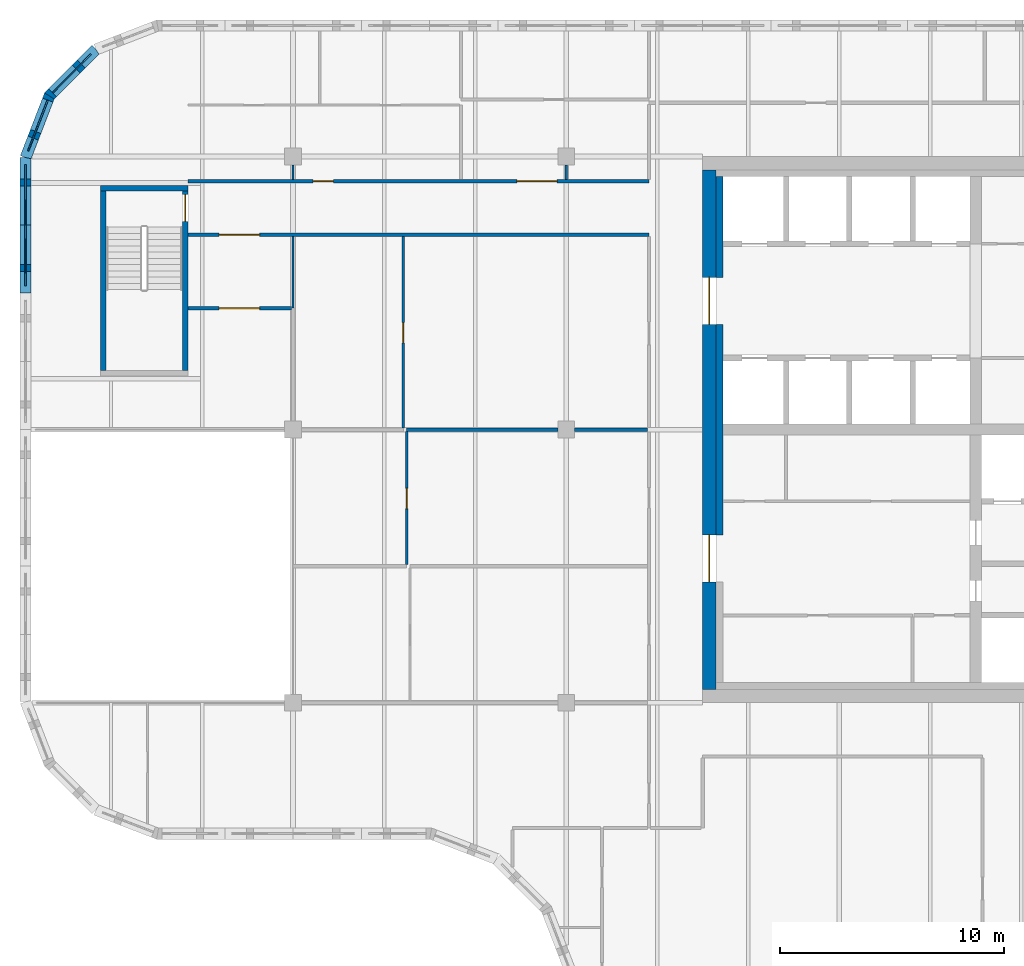
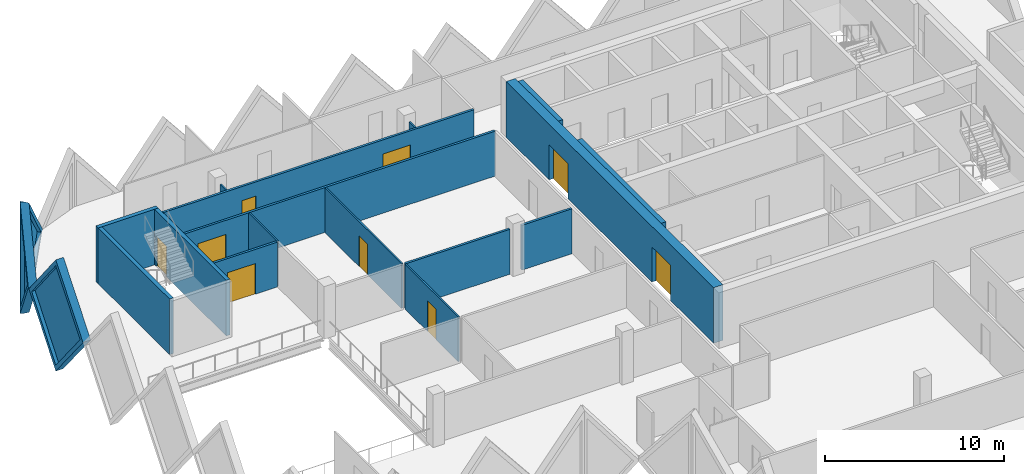
# One storey, part 7 of 12: 19 walls, 9 doors, 3 plates, 12 openings.
"""IFC4 building model written with IfcOpenShell, lengths in metres."""

from ifc_helpers import new_model, si_unit, direction, frame, frame_2d, origin, place, context, subcontext, project, spatial, polyline, rectangle, outline, extrude, faceted_brep, source, transform, mapped, material, layer, layer_set, type_object, element, fill, save


model = new_model("IFC4")

# Units and contexts
model_context = context("Model", 3, precision=1e-05, world=origin(), true_north=direction((0.0, 1.0)))
body_context = subcontext(model_context, "Body", "Model", "MODEL_VIEW")
ifc_project = project(units=[si_unit("LENGTHUNIT", "METRE"), si_unit("AREAUNIT", "SQUARE_METRE"), si_unit("VOLUMEUNIT", "CUBIC_METRE"), si_unit("PLANEANGLEUNIT", "RADIAN"), si_unit("MASSUNIT", "GRAM", prefix="KILO")], contexts=[model_context])

# Site, building, storey
site_placement = place(None, origin())
site = spatial("IfcSite", under=ifc_project, at=site_placement, CompositionType="ELEMENT")
building_placement = place(site_placement, origin())
building = spatial("IfcBuilding", under=site, at=building_placement, Name="Tessera Gate Towers", CompositionType="ELEMENT")
storey_placement = place(building_placement, frame((0.0, 0.0, 185.800048828125)))
storey = spatial("IfcBuildingStorey", under=building, at=storey_placement, Name="L46", CompositionType="ELEMENT", Elevation=185.800048828125)

# Walls
ifc_material_1 = material(Name="Concrete C40/50", Category="concrete")
ifc_layer_1 = layer(ifc_material_1, 0.25)
ifc_layer_set_1 = layer_set([ifc_layer_1], Name="CORE ENCLOSURE WALL 250")
wall_type_1 = type_object("IfcWallType", Name="CORE ENCLOSURE WALL 250", PredefinedType="SOLIDWALL", material=ifc_layer_set_1)
wall_1_placement = place(storey_placement, frame((3.72509765625, 39.25, 0.0), z_axis=(0.0, 0.0, 1.0), x_axis=(0.0, 1.0, 0.0)))
element("IfcWall", 1, at=wall_1_placement, inside=storey, type_object=wall_type_1, Name="L46 ST3 enclosure wall", PredefinedType="SOLIDWALL", context=body_context, shape_type="SweptSolid", body=[
    extrude(rectangle(XDim=8.0, YDim=0.25, at=frame_2d((4.0, 0.0))), origin(), (0.0, 0.0, 1.0), 3.800048828125),
])
wall_2_placement = place(storey_placement, frame((3.60009765625, 47.375, 0.0), z_axis=(0.0, 0.0, 1.0), x_axis=(1.0, 0.0, 0.0)))
element("IfcWall", 2, at=wall_2_placement, inside=storey, type_object=wall_type_1, Name="L46 ST3 enclosure wall", PredefinedType="SOLIDWALL", context=body_context, shape_type="SweptSolid", body=[
    extrude(rectangle(XDim=3.89990234375, YDim=0.25, at=frame_2d((1.949951171875, 0.0))), origin(), (0.0, 0.0, 1.0), 3.800048828125),
])

# Wall, opening, door
wall_3_placement = place(storey_placement, frame((7.375, 47.25, 0.0), z_axis=(0.0, 0.0, 1.0), x_axis=(0.0, -1.0, 0.0)))
wall_3 = element("IfcWall", 3, at=wall_3_placement, inside=storey, type_object=wall_type_1, Name="L46 ST3 enclosure wall", PredefinedType="SOLIDWALL", context=body_context, shape_type="SweptSolid", body=[
    extrude(rectangle(XDim=8.0, YDim=0.25, at=frame_2d((4.0, 0.0))), origin(), (0.0, 0.0, 1.0), 3.800048828125),
])
shared_shape_1 = source(origin(), body_context, "Body", "SweptSolid", [
    extrude(rectangle(XDim=1.199951171875, YDim=2.10009765625, at=frame_2d((0.60009765625, 1.050048828125))), frame((0.0, 0.135009765625, 0.0), z_axis=(0.0, -1.0, 0.0), x_axis=(1.0, 0.0, 0.0)), (0.0, 0.0, 1.0), 0.27001953125),
])
opening_1_placement = place(wall_3_placement, frame((0.14990234375, 0.0, 0.0)))
opening_1 = element("IfcOpeningElement", 4, at=opening_1_placement, cuts=wall_3, Name="Opening SD-ST3-1", PredefinedType="OPENING", context=body_context, shape_type="MappedRepresentation", body=[
    mapped(shared_shape_1, transform((0.0, 0.0, 0.0), scale=1.0)),
])
ifc_material_2 = material(Name="Hollow steel fire door", Category="steel")
door_type_1 = type_object("IfcDoorType", Name="CORE DOOR SD 1200x2100", OperationType="NOTDEFINED", PredefinedType="DOOR", material=ifc_material_2)
shared_shape_2 = source(origin(), body_context, "Body", "SweptSolid", [
    extrude(rectangle(XDim=1.199951171875, YDim=2.10009765625, at=frame_2d((0.60009765625, 1.050048828125))), frame((0.0, 0.02490234375, 0.0), z_axis=(0.0, -1.0, 0.0), x_axis=(1.0, 0.0, 0.0)), (0.0, 0.0, 1.0), 0.050048828125),
])
door_1_placement = place(opening_1_placement, origin())
door_1 = element("IfcDoor", 5, at=door_1_placement, inside=storey, type_object=door_type_1, Name="Stair door", OperationType="SINGLE_SWING_LEFT", OverallHeight=2.10009765625, OverallWidth=1.199951171875, PredefinedType="DOOR", context=body_context, shape_type="MappedRepresentation", body=[
    mapped(shared_shape_2, transform((0.0, 0.0, 0.0), scale=1.0)),
])
fill(opening_1, door_1)

# Wall, openings, doors
ifc_material_3 = material(Name="Concrete C50/60", Category="concrete")
ifc_layer_2 = layer(ifc_material_3, 0.60009765625)
ifc_layer_set_2 = layer_set([ifc_layer_2], Name="CORE SHEAR WALL 600 C50/60")
wall_type_2 = type_object("IfcWallType", Name="CORE SHEAR WALL 600 C50/60", PredefinedType="SHEAR", material=ifc_layer_set_2)
wall_4_placement = place(storey_placement, frame((30.800048828125, 25.0, 0.0), z_axis=(0.0, 0.0, 1.0), x_axis=(0.0, 1.0, 0.0)))
wall_4 = element("IfcWall", 6, at=wall_4_placement, inside=storey, type_object=wall_type_2, Name="Core wall W L46", PredefinedType="SHEAR", context=body_context, shape_type="SweptSolid", body=[
    extrude(rectangle(XDim=23.199951171875, YDim=0.60009765625, at=frame_2d((11.60009765625, 0.0))), origin(), (0.0, 0.0, 1.0), 3.800048828125),
])
shared_shape_3 = source(origin(), body_context, "Body", "SweptSolid", [
    extrude(rectangle(XDim=2.10009765625, YDim=2.39990234375, at=frame_2d((1.050048828125, 1.199951171875))), frame((0.0, 0.31005859375, 0.0), z_axis=(0.0, -1.0, 0.0), x_axis=(1.0, 0.0, 0.0)), (0.0, 0.0, 1.0), 0.6201171875),
])
opening_2_placement = place(wall_4_placement, frame((4.800048828125, 0.0, 0.0)))
opening_2 = element("IfcOpeningElement", 7, at=opening_2_placement, cuts=wall_4, Name="Opening DD-T1-28-02", PredefinedType="OPENING", context=body_context, shape_type="MappedRepresentation", body=[
    mapped(shared_shape_3, transform((0.0, 0.0, 0.0), scale=1.0)),
])
opening_3_placement = place(wall_4_placement, frame((16.300048828125, 0.0, 0.0)))
opening_3 = element("IfcOpeningElement", 8, at=opening_3_placement, cuts=wall_4, Name="Opening DD-T1-28-03", PredefinedType="OPENING", context=body_context, shape_type="MappedRepresentation", body=[
    mapped(shared_shape_3, transform((0.0, 0.0, 0.0), scale=1.0)),
])
ifc_material_4 = material(Name="Hollow steel fire door", Category="steel")
door_type_2 = type_object("IfcDoorType", Name="CORE DOOR DD 2100x2400", OperationType="NOTDEFINED", PredefinedType="DOOR", material=ifc_material_4)
shared_shape_4 = source(origin(), body_context, "Body", "SweptSolid", [
    extrude(rectangle(XDim=2.10009765625, YDim=2.39990234375, at=frame_2d((1.050048828125, 1.199951171875))), frame((0.0, 0.02490234375, 0.0), z_axis=(0.0, -1.0, 0.0), x_axis=(1.0, 0.0, 0.0)), (0.0, 0.0, 1.0), 0.050048828125),
])
door_2_placement = place(opening_2_placement, origin())
door_2 = element("IfcDoor", 9, at=door_2_placement, inside=storey, type_object=door_type_2, Name="Core entrance door", OperationType="DOUBLE_DOOR_SINGLE_SWING", OverallHeight=2.39990234375, OverallWidth=2.10009765625, PredefinedType="DOOR", context=body_context, shape_type="MappedRepresentation", body=[
    mapped(shared_shape_4, transform((0.0, 0.0, 0.0), scale=1.0)),
])
fill(opening_2, door_2)
door_3_placement = place(opening_3_placement, origin())
door_3 = element("IfcDoor", 10, at=door_3_placement, inside=storey, type_object=door_type_2, Name="Core entrance door", OperationType="DOUBLE_DOOR_SINGLE_SWING", OverallHeight=2.39990234375, OverallWidth=2.10009765625, PredefinedType="DOOR", context=body_context, shape_type="MappedRepresentation", body=[
    mapped(shared_shape_4, transform((0.0, 0.0, 0.0), scale=1.0)),
])
fill(opening_3, door_3)

# Walls
ifc_material_5 = material(Name="Concrete C50/60", Category="concrete")
ifc_layer_3 = layer(ifc_material_5, 0.300048828125)
ifc_layer_set_3 = layer_set([ifc_layer_3], Name="CORE WALL THICKENING 300")
wall_type_3 = type_object("IfcWallType", Name="CORE WALL THICKENING 300", PredefinedType="SOLIDWALL", material=ifc_layer_set_3)
wall_5_placement = place(storey_placement, frame((31.25, 31.89990234375, 0.0), z_axis=(0.0, 0.0, 1.0), x_axis=(0.0, 1.0, 0.0)))
element("IfcWall", 11, at=wall_5_placement, inside=storey, type_object=wall_type_3, Name="Core wall thickening W L46", PredefinedType="SOLIDWALL", context=body_context, shape_type="SweptSolid", body=[
    extrude(rectangle(XDim=9.400146484375, YDim=0.300048828125, at=frame_2d((4.7001953125, 0.0))), origin(), (0.0, 0.0, 1.0), 3.800048828125),
])
wall_6_placement = place(storey_placement, frame((31.25, 43.39990234375, 0.0), z_axis=(0.0, 0.0, 1.0), x_axis=(0.0, 1.0, 0.0)))
element("IfcWall", 12, at=wall_6_placement, inside=storey, type_object=wall_type_3, Name="Core wall thickening W L46", PredefinedType="SOLIDWALL", context=body_context, shape_type="SweptSolid", body=[
    extrude(rectangle(XDim=4.5, YDim=0.300048828125, at=frame_2d((2.25, 0.0))), origin(), (0.0, 0.0, 1.0), 3.800048828125),
])

# Wall, opening, door
ifc_material_6 = material(Name="Gypsum board on steel studs, mineral wool", Category="steel")
ifc_layer_4 = layer(ifc_material_6, 0.14990234375)
ifc_layer_set_4 = layer_set([ifc_layer_4], Name="CORRIDOR WALL 150")
wall_type_4 = type_object("IfcWallType", Name="CORRIDOR WALL 150", PredefinedType="PARTITIONING", material=ifc_layer_set_4)
wall_7_placement = place(storey_placement, frame((28.10009765625, 45.300048828125, 0.0), z_axis=(0.0, 0.0, 1.0), x_axis=(-1.0, 0.0, 0.0)))
wall_7 = element("IfcWall", 13, at=wall_7_placement, inside=storey, type_object=wall_type_4, Name="T1-L46-PW-041", PredefinedType="PARTITIONING", context=body_context, shape_type="SweptSolid", body=[
    extrude(rectangle(XDim=20.60009765625, YDim=0.14990234375, at=frame_2d((10.300048828125, 0.0))), origin(), (0.0, 0.0, 1.0), 3.06689453125),
])
shared_shape_5 = source(origin(), body_context, "Body", "SweptSolid", [
    extrude(rectangle(XDim=1.800048828125, YDim=2.10009765625, at=frame_2d((0.89990234375, 1.050048828125))), frame((0.0, 0.0849609375, 0.0), z_axis=(0.0, -1.0, 0.0), x_axis=(1.0, 0.0, 0.0)), (0.0, 0.0, 1.0), 0.169921875),
])
opening_4_placement = place(wall_7_placement, frame((17.39990234375, 0.0, 0.0)))
opening_4 = element("IfcOpeningElement", 14, at=opening_4_placement, cuts=wall_7, Name="Opening D2180FD60-A17-01", PredefinedType="OPENING", context=body_context, shape_type="MappedRepresentation", body=[
    mapped(shared_shape_5, transform((0.0, 0.0, 0.0), scale=1.0)),
])
ifc_material_7 = material(Name="Timber door leaf in steel frame", Category="steel")
door_type_3 = type_object("IfcDoorType", Name="TENANCY ENTRANCE DOUBLE DOOR 1800 FD60", OperationType="NOTDEFINED", PredefinedType="DOOR", material=ifc_material_7)
shared_shape_6 = source(origin(), body_context, "Body", "SweptSolid", [
    extrude(rectangle(XDim=1.800048828125, YDim=2.10009765625, at=frame_2d((0.89990234375, 1.050048828125))), frame((0.0, 0.02490234375, 0.0), z_axis=(0.0, -1.0, 0.0), x_axis=(1.0, 0.0, 0.0)), (0.0, 0.0, 1.0), 0.050048828125),
])
door_4_placement = place(opening_4_placement, origin())
door_4 = element("IfcDoor", 15, at=door_4_placement, inside=storey, type_object=door_type_3, Name="T1-L46-PD-007", OperationType="DOUBLE_DOOR_SINGLE_SWING", OverallHeight=2.10009765625, OverallWidth=1.800048828125, PredefinedType="DOOR", context=body_context, shape_type="MappedRepresentation", body=[
    mapped(shared_shape_6, transform((0.0, 0.0, 0.0), scale=1.0)),
])
fill(opening_4, door_4)

# Wall, openings, doors
wall_8_placement = place(storey_placement, frame((7.5, 47.699951171875, 0.0), z_axis=(0.0, 0.0, 1.0), x_axis=(1.0, 0.0, 0.0)))
wall_8 = element("IfcWall", 16, at=wall_8_placement, inside=storey, type_object=wall_type_4, Name="T1-L46-PW-042", PredefinedType="PARTITIONING", context=body_context, shape_type="SweptSolid", body=[
    extrude(rectangle(XDim=20.60009765625, YDim=0.14990234375, at=frame_2d((10.300048828125, 0.0))), origin(), (0.0, 0.0, 1.0), 3.06689453125),
])
opening_5_placement = place(wall_8_placement, frame((14.700927734375, 0.0, 0.0)))
opening_5 = element("IfcOpeningElement", 17, at=opening_5_placement, cuts=wall_8, Name="Opening D2180FD60-A17-02", PredefinedType="OPENING", context=body_context, shape_type="MappedRepresentation", body=[
    mapped(shared_shape_5, transform((0.0, 0.0, 0.0), scale=1.0)),
])
shared_shape_7 = source(origin(), body_context, "Body", "SweptSolid", [
    extrude(rectangle(XDim=0.89990234375, YDim=2.10009765625, at=frame_2d((0.449951171875, 1.050048828125))), frame((0.0, 0.0849609375, 0.0), z_axis=(0.0, -1.0, 0.0), x_axis=(1.0, 0.0, 0.0)), (0.0, 0.0, 1.0), 0.169921875),
])
opening_6_placement = place(wall_8_placement, frame((5.60009765625, 0.0, 0.0)))
opening_6 = element("IfcOpeningElement", 18, at=opening_6_placement, cuts=wall_8, Name="Opening D890FD60-A17-06", PredefinedType="OPENING", context=body_context, shape_type="MappedRepresentation", body=[
    mapped(shared_shape_7, transform((0.0, 0.0, 0.0), scale=1.0)),
])
ifc_material_8 = material(Name="Timber door leaf in steel frame", Category="steel")
door_type_4 = type_object("IfcDoorType", Name="CORRIDOR DOOR 900 FD60", OperationType="NOTDEFINED", PredefinedType="DOOR", material=ifc_material_8)
shared_shape_8 = source(origin(), body_context, "Body", "SweptSolid", [
    extrude(rectangle(XDim=0.89990234375, YDim=2.10009765625, at=frame_2d((0.449951171875, 1.050048828125))), frame((0.0, 0.02490234375, 0.0), z_axis=(0.0, -1.0, 0.0), x_axis=(1.0, 0.0, 0.0)), (0.0, 0.0, 1.0), 0.050048828125),
])
door_5_placement = place(opening_6_placement, origin())
door_5 = element("IfcDoor", 19, at=door_5_placement, inside=storey, type_object=door_type_4, Name="T1-L46-PD-024", OperationType="SINGLE_SWING_LEFT", OverallHeight=2.10009765625, OverallWidth=0.89990234375, PredefinedType="DOOR", context=body_context, shape_type="MappedRepresentation", body=[
    mapped(shared_shape_8, transform((0.0, 0.0, 0.0), scale=1.0)),
])
fill(opening_6, door_5)
door_6_placement = place(opening_5_placement, origin())
door_6 = element("IfcDoor", 20, at=door_6_placement, inside=storey, type_object=door_type_3, Name="T1-L46-PD-018", OperationType="DOUBLE_DOOR_SINGLE_SWING", OverallHeight=2.10009765625, OverallWidth=1.800048828125, PredefinedType="DOOR", context=body_context, shape_type="MappedRepresentation", body=[
    mapped(shared_shape_6, transform((0.0, 0.0, 0.0), scale=1.0)),
])
fill(opening_5, door_6)

# Wall, opening, door
ifc_material_9 = material(Name="Glass", Category="glass")
ifc_layer_5 = layer(ifc_material_9, 0.10009765625)
ifc_layer_set_5 = layer_set([ifc_layer_5], Name="GLAZED PARTITION 100")
wall_type_5 = type_object("IfcWallType", Name="GLAZED PARTITION 100", PredefinedType="PARTITIONING", material=ifc_layer_set_5)
wall_9_placement = place(storey_placement, frame((17.125, 36.676025390625, 0.0), z_axis=(0.0, 0.0, 1.0), x_axis=(0.0, 1.0, 0.0)))
wall_9 = element("IfcWall", 21, at=wall_9_placement, inside=storey, type_object=wall_type_5, Name="T1-L46-PW-037", PredefinedType="PARTITIONING", context=body_context, shape_type="SweptSolid", body=[
    extrude(rectangle(XDim=8.548095703125, YDim=0.10009765625, at=frame_2d((4.27392578125, 0.0))), origin(), (0.0, 0.0, 1.0), 3.06689453125),
])
shared_shape_9 = source(origin(), body_context, "Body", "SweptSolid", [
    extrude(rectangle(XDim=0.89990234375, YDim=2.10009765625, at=frame_2d((0.449951171875, 1.050048828125))), frame((0.0, 0.06005859375, 0.0), z_axis=(0.0, -1.0, 0.0), x_axis=(1.0, 0.0, 0.0)), (0.0, 0.0, 1.0), 0.1201171875),
])
opening_7_placement = place(wall_9_placement, frame((3.800048828125, 0.0, 0.0)))
opening_7 = element("IfcOpeningElement", 22, at=opening_7_placement, cuts=wall_9, Name="Opening D690-A17-05", PredefinedType="OPENING", context=body_context, shape_type="MappedRepresentation", body=[
    mapped(shared_shape_9, transform((0.0, 0.0, 0.0), scale=1.0)),
])
ifc_material_10 = material(Name="Glass in aluminium frame", Category="aluminium")
door_type_5 = type_object("IfcDoorType", Name="GLAZED DOOR 900 NOT RATED", OperationType="NOTDEFINED", PredefinedType="DOOR", material=ifc_material_10)
door_7_placement = place(opening_7_placement, origin())
door_7 = element("IfcDoor", 23, at=door_7_placement, inside=storey, type_object=door_type_5, Name="T1-L46-PD-020", OperationType="SINGLE_SWING_LEFT", OverallHeight=2.10009765625, OverallWidth=0.89990234375, PredefinedType="DOOR", context=body_context, shape_type="MappedRepresentation", body=[
    mapped(shared_shape_8, transform((0.0, 0.0, 0.0), scale=1.0)),
])
fill(opening_7, door_7)

# Wall
wall_10_placement = place(storey_placement, frame((12.199951171875, 42.02587890625, 0.0), z_axis=(0.0, 0.0, 1.0), x_axis=(0.0, 1.0, 0.0)))
element("IfcWall", 24, at=wall_10_placement, inside=storey, type_object=wall_type_5, Name="T1-L46-PW-040", PredefinedType="PARTITIONING", context=body_context, shape_type="SweptSolid", body=[
    extrude(rectangle(XDim=3.1982421875, YDim=0.10009765625, at=frame_2d((1.59912109375, 0.0))), origin(), (0.0, 0.0, 1.0), 3.06689453125),
])

# Wall, opening, door
ifc_material_11 = material(Name="Gypsum board on steel studs", Category="steel")
ifc_layer_6 = layer(ifc_material_11, 0.10009765625)
ifc_layer_set_6 = layer_set([ifc_layer_6], Name="PARTITION 100")
wall_type_6 = type_object("IfcWallType", Name="PARTITION 100", PredefinedType="PARTITIONING", material=ifc_layer_set_6)
wall_11_placement = place(storey_placement, frame((17.27490234375, 30.575927734375, 0.0), z_axis=(0.0, 0.0, 1.0), x_axis=(0.0, 1.0, 0.0)))
wall_11 = element("IfcWall", 25, at=wall_11_placement, inside=storey, type_object=wall_type_6, Name="T1-L46-PW-033", PredefinedType="PARTITIONING", context=body_context, shape_type="SweptSolid", body=[
    extrude(rectangle(XDim=5.947998046875, YDim=0.10009765625, at=frame_2d((2.97412109375, 0.0))), origin(), (0.0, 0.0, 1.0), 3.06689453125),
])
opening_8_placement = place(wall_11_placement, frame((2.5, 0.0, 0.0)))
opening_8 = element("IfcOpeningElement", 26, at=opening_8_placement, cuts=wall_11, Name="Opening D190-A17-05", PredefinedType="OPENING", context=body_context, shape_type="MappedRepresentation", body=[
    mapped(shared_shape_9, transform((0.0, 0.0, 0.0), scale=1.0)),
])
ifc_material_12 = material(Name="Timber door leaf in steel frame", Category="steel")
door_type_6 = type_object("IfcDoorType", Name="INTERNAL DOOR 900 NOT RATED", OperationType="NOTDEFINED", PredefinedType="DOOR", material=ifc_material_12)
door_8_placement = place(opening_8_placement, origin())
door_8 = element("IfcDoor", 27, at=door_8_placement, inside=storey, type_object=door_type_6, Name="T1-L46-PD-013", OperationType="SINGLE_SWING_LEFT", OverallHeight=2.10009765625, OverallWidth=0.89990234375, PredefinedType="DOOR", context=body_context, shape_type="MappedRepresentation", body=[
    mapped(shared_shape_8, transform((0.0, 0.0, 0.0), scale=1.0)),
])
fill(opening_8, door_8)

# Walls
for number, where, z_axis, x_axis, name in (
    (28, (12.199951171875, 48.425048828125, 0.0), (0.0, 0.0, 1.0), (0.0, -1.0, 0.0), "T1-L46-PW-045"),
    (29, (24.39990234375, 48.425048828125, 0.0), (0.0, 0.0, 1.0), (0.0, -1.0, 0.0), "T1-L46-PW-046"),
):
    element("IfcWall", number, at=place(storey_placement, frame(where, z_axis=z_axis, x_axis=x_axis)), inside=storey, type_object=wall_type_6, Name=name, PredefinedType="PARTITIONING", context=body_context, shape_type="SweptSolid", body=[
        extrude(rectangle(XDim=0.650146484375, YDim=0.10009765625, at=frame_2d((0.3251953125, 0.0))), origin(), (0.0, 0.0, 1.0), 3.06689453125),
    ])
ifc_material_13 = material(Name="Gypsum board on steel studs, mineral wool", Category="steel")
ifc_layer_7 = layer(ifc_material_13, 0.14990234375)
ifc_layer_set_7 = layer_set([ifc_layer_7], Name="TENANCY WALL 150")
wall_type_7 = type_object("IfcWallType", Name="TENANCY WALL 150", PredefinedType="PARTITIONING", material=ifc_layer_set_7)
wall_12_placement = place(storey_placement, frame((17.27490234375, 36.60009765625, 0.0), z_axis=(0.0, 0.0, 1.0), x_axis=(1.0, 0.0, 0.0)))
element("IfcWall", 30, at=wall_12_placement, inside=storey, type_object=wall_type_7, Name="T1-L46-PW-035", PredefinedType="PARTITIONING", context=body_context, shape_type="SweptSolid", body=[
    extrude(rectangle(XDim=6.7490234375, YDim=0.14990234375, at=frame_2d((3.37451171875, 0.0))), origin(), (0.0, 0.0, 1.0), 3.06689453125),
])
wall_13_placement = place(storey_placement, frame((24.77587890625, 36.60009765625, 0.0), z_axis=(0.0, 0.0, 1.0), x_axis=(1.0, 0.0, 0.0)))
element("IfcWall", 31, at=wall_13_placement, inside=storey, type_object=wall_type_7, Name="T1-L46-PW-036", PredefinedType="PARTITIONING", context=body_context, shape_type="SweptSolid", body=[
    extrude(rectangle(XDim=3.248046875, YDim=0.14990234375, at=frame_2d((1.6240234375, 0.0))), origin(), (0.0, 0.0, 1.0), 3.06689453125),
])

# Wall, opening, door
wall_14_placement = place(storey_placement, frame((12.1240234375, 42.02490234375, 0.0), z_axis=(0.0, 0.0, 1.0), x_axis=(-1.0, 0.0, 0.0)))
wall_14 = element("IfcWall", 32, at=wall_14_placement, inside=storey, type_object=wall_type_7, Name="T1-L46-PW-039", PredefinedType="PARTITIONING", context=body_context, shape_type="SweptSolid", body=[
    extrude(rectangle(XDim=4.6240234375, YDim=0.14990234375, at=frame_2d((2.31201171875, 0.0))), origin(), (0.0, 0.0, 1.0), 3.06689453125),
])
opening_9_placement = place(wall_14_placement, frame((1.424072265625, 0.0, 0.0)))
opening_9 = element("IfcOpeningElement", 33, at=opening_9_placement, cuts=wall_14, Name="Opening D7180-A17-01", PredefinedType="OPENING", context=body_context, shape_type="MappedRepresentation", body=[
    mapped(shared_shape_5, transform((0.0, 0.0, 0.0), scale=1.0)),
])
ifc_material_14 = material(Name="Timber door leaf in steel frame", Category="steel")
door_type_7 = type_object("IfcDoorType", Name="DOUBLE DOOR 1800 NOT RATED", OperationType="NOTDEFINED", PredefinedType="DOOR", material=ifc_material_14)
door_9_placement = place(opening_9_placement, origin())
door_9 = element("IfcDoor", 34, at=door_9_placement, inside=storey, type_object=door_type_7, Name="T1-L46-PD-006", OperationType="DOUBLE_DOOR_SINGLE_SWING", OverallHeight=2.10009765625, OverallWidth=1.800048828125, PredefinedType="DOOR", context=body_context, shape_type="MappedRepresentation", body=[
    mapped(shared_shape_6, transform((0.0, 0.0, 0.0), scale=1.0)),
])
fill(opening_9, door_9)

# Wall, opening, plate
ifc_material_15 = material(Name="Precast concrete C60/75 white", Category="concrete")
ifc_layer_8 = layer(ifc_material_15, 0.5)
ifc_layer_set_8 = layer_set([ifc_layer_8], Name="TS1 tessera")
wall_type_8 = type_object("IfcWallType", Name="TS1 tessera", PredefinedType="SOLIDWALL", material=ifc_layer_set_8)
shared_shape_10 = source(origin(), body_context, "Body", "Brep", [
    faceted_brep([(3.00341796875, -0.25, 0.0), (6.053466796875, -0.25, 3.800048828125), (3.00341796875, -0.25, 7.60009765625), (0.0, -0.25, 3.800048828125), (0.046630859375, 0.25, 3.85888671875), (3.00341796875, 0.25, 7.60009765625), (6.053466796875, 0.25, 3.800048828125), (3.00341796875, 0.25, 0.0), (0.046630859375, 0.25, 3.7412109375), (0.0, 0.0, 3.800048828125)], [[[0, 1, 2, 3]], [[4, 5, 6, 7, 8]], [[7, 6, 1, 0]], [[6, 5, 2, 1]], [[5, 4, 9, 3, 2]], [[8, 7, 0, 3, 9]], [[8, 9, 4]]]),
])
wall_15_placement = place(storey_placement, frame((0.25, 48.75341796875, -3.800048828125), z_axis=(0.0, 0.0, 1.0), x_axis=(0.0, -1.0, 0.0)))
wall_15 = element("IfcWall", 35, at=wall_15_placement, inside=storey, type_object=wall_type_8, Name="Precast tessera T1 TS1-0822", PredefinedType="SOLIDWALL", context=body_context, shape_type="MappedRepresentation", body=[
    mapped(shared_shape_10, transform((0.0, 0.0, 0.0), scale=1.0)),
])
shared_shape_11 = source(origin(), body_context, "Body", "SweptSolid", [
    extrude(outline(polyline([(3.0048828125, 0.4013671875), (5.73291015625, 3.800048828125), (3.0048828125, 7.19873046875), (0.318603515625, 3.800048828125), (3.0048828125, 0.4013671875)])), frame((0.0, 0.260009765625, 0.0), z_axis=(0.0, -1.0, 0.0), x_axis=(1.0, 0.0, 0.0)), (0.0, 0.0, 1.0), 0.52001953125),
])
opening_10_placement = place(wall_15_placement, origin())
opening_10 = element("IfcOpeningElement", 36, at=opening_10_placement, cuts=wall_15, Name="Opening T1-PL2-1676", PredefinedType="OPENING", context=body_context, shape_type="MappedRepresentation", body=[
    mapped(shared_shape_11, transform((0.0, 0.0, 0.0), scale=1.0)),
])
ifc_material_16 = material(Name="Low-e laminated glass", Category="glass")
ifc_layer_9 = layer(ifc_material_16, 0.06005859375)
ifc_layer_set_9 = layer_set([ifc_layer_9], Name="PL2 rhombic pane")
plate_type = type_object("IfcPlateType", Name="PL2 rhombic pane", PredefinedType="SHEET", material=ifc_layer_set_9)
shared_shape_12 = source(origin(), body_context, "Body", "SweptSolid", [
    extrude(outline(polyline([(3.0048828125, 0.4013671875), (5.73291015625, 3.800048828125), (3.0048828125, 7.19873046875), (0.318603515625, 3.800048828125), (3.0048828125, 0.4013671875)])), frame((0.0, 0.030029296875, 0.0), z_axis=(0.0, -1.0, 0.0), x_axis=(1.0, 0.0, 0.0)), (0.0, 0.0, 1.0), 0.06005859375),
])
plate_1_placement = place(opening_10_placement, origin())
plate_1 = element("IfcPlate", 37, at=plate_1_placement, inside=storey, type_object=plate_type, Name="Glass pane T1 PL2-1676", PredefinedType="SHEET", context=body_context, shape_type="MappedRepresentation", body=[
    mapped(shared_shape_12, transform((0.0, 0.0, 0.0), scale=1.0)),
])
fill(opening_10, plate_1)

ifc_material_17 = material(Name="Precast concrete C60/75 white", Category="concrete")
ifc_layer_10 = layer(ifc_material_17, 0.5)
ifc_layer_set_10 = layer_set([ifc_layer_10], Name="TS3 corner tessera")
wall_type_9 = type_object("IfcWallType", Name="TS3 corner tessera", PredefinedType="SOLIDWALL", material=ifc_layer_set_10)
shared_shape_13 = source(origin(), body_context, "Body", "Brep", [
    faceted_brep([(0.052978515625, -0.25, 0.0), (3.00341796875, -0.25, 3.800048828125), (0.052978515625, -0.25, 7.60009765625), (0.0, -0.25, 7.53173828125), (0.0, -0.25, 0.068359375), (0.10595703125, 0.25, 7.531982421875), (2.95703125, 0.25, 3.85986328125), (2.95703125, 0.25, 3.740234375), (0.10595703125, 0.25, 0.068115234375), (3.00341796875, 0.00048828125, 3.800048828125), (0.052978515625, 0.0, 0.0), (0.052978515625, 0.0, 7.60009765625)], [[[0, 1, 2, 3, 4]], [[5, 6, 7, 8]], [[8, 7, 9, 1, 0, 10]], [[6, 5, 11, 2, 1, 9]], [[3, 2, 11]], [[10, 0, 4]], [[8, 10, 4, 3, 11, 5]], [[9, 7, 6]]]),
])
wall_16_placement = place(storey_placement, frame((1.3310546875, 51.5556640625, -3.800048828125), z_axis=(0.0, 0.0, 1.0), x_axis=(-0.35992665181, -0.932980602862, 0.0)))
wall_16 = element("IfcWall", 38, at=wall_16_placement, inside=storey, type_object=wall_type_9, Name="Precast corner tessera T1 TS3-1070", PredefinedType="SOLIDWALL", context=body_context, shape_type="MappedRepresentation", body=[
    mapped(shared_shape_13, transform((0.0, 0.0, 0.0), scale=1.0)),
])
shared_shape_14 = source(origin(), body_context, "Body", "SweptSolid", [
    extrude(outline(polyline([(0.2529296875, 0.665283203125), (2.68701171875, 3.800048828125), (0.2529296875, 6.934814453125), (0.2529296875, 0.665283203125)])), frame((0.0, 0.260009765625, 0.0), z_axis=(0.0, -1.0, 0.0), x_axis=(1.0, 0.0, 0.0)), (0.0, 0.0, 1.0), 0.52001953125),
])
opening_11_placement = place(wall_16_placement, origin())
opening_11 = element("IfcOpeningElement", 39, at=opening_11_placement, cuts=wall_16, Name="Opening T1-PL2-1675", PredefinedType="OPENING", context=body_context, shape_type="MappedRepresentation", body=[
    mapped(shared_shape_14, transform((0.0, 0.0, 0.0), scale=1.0)),
])
shared_shape_15 = source(origin(), body_context, "Body", "SweptSolid", [
    extrude(outline(polyline([(0.2529296875, 0.665283203125), (2.68701171875, 3.800048828125), (0.2529296875, 6.934814453125), (0.2529296875, 0.665283203125)])), frame((0.0, 0.030029296875, 0.0), z_axis=(0.0, -1.0, 0.0), x_axis=(1.0, 0.0, 0.0)), (0.0, 0.0, 1.0), 0.06005859375),
])
plate_2_placement = place(opening_11_placement, origin())
plate_2 = element("IfcPlate", 40, at=plate_2_placement, inside=storey, type_object=plate_type, Name="Glass pane T1 PL2-1675", PredefinedType="SHEET", context=body_context, shape_type="MappedRepresentation", body=[
    mapped(shared_shape_15, transform((0.0, 0.0, 0.0), scale=1.0)),
])
fill(opening_11, plate_2)

shared_shape_16 = source(origin(), body_context, "Body", "Brep", [
    faceted_brep([(2.944091796875, -0.25, 0.0), (2.9970703125, -0.25, 0.068115234375), (2.9970703125, -0.25, 7.531982421875), (2.944091796875, -0.25, 7.60009765625), (0.0, -0.25, 3.800048828125), (0.052978515625, 0.25, 3.868408203125), (2.89111328125, 0.25, 7.531982421875), (2.89111328125, 0.25, 0.068115234375), (0.052978515625, 0.25, 3.731689453125), (2.944091796875, 0.000244140625, 0.0), (2.944091796875, 0.000244140625, 7.60009765625), (0.0, 0.0, 3.800048828125)], [[[0, 1, 2, 3, 4]], [[5, 6, 7, 8]], [[1, 0, 9]], [[10, 3, 2]], [[6, 5, 11, 4, 3, 10]], [[8, 7, 9, 0, 4, 11]], [[8, 11, 5]], [[1, 9, 7, 6, 10, 2]]]),
])
wall_17_placement = place(storey_placement, frame((3.393798828125, 53.588134765625, -3.800048828125), z_axis=(0.0, 0.0, 1.0), x_axis=(-0.707106781187, -0.707106781187, 0.0)))
wall_17 = element("IfcWall", 41, at=wall_17_placement, inside=storey, type_object=wall_type_9, Name="Precast corner tessera T1 TS3-1069", PredefinedType="SOLIDWALL", context=body_context, shape_type="MappedRepresentation", body=[
    mapped(shared_shape_16, transform((0.0, 0.0, 0.0), scale=1.0)),
])
shared_shape_17 = source(origin(), body_context, "Body", "SweptSolid", [
    extrude(outline(polyline([(2.744140625, 6.93359375), (0.316162109375, 3.800048828125), (2.744140625, 0.666259765625), (2.744140625, 6.93359375)])), frame((0.0, 0.260009765625, 0.0), z_axis=(0.0, -1.0, 0.0), x_axis=(1.0, 0.0, 0.0)), (0.0, 0.0, 1.0), 0.52001953125),
])
opening_12_placement = place(wall_17_placement, origin())
opening_12 = element("IfcOpeningElement", 42, at=opening_12_placement, cuts=wall_17, Name="Opening T1-PL2-1674", PredefinedType="OPENING", context=body_context, shape_type="MappedRepresentation", body=[
    mapped(shared_shape_17, transform((0.0, 0.0, 0.0), scale=1.0)),
])
shared_shape_18 = source(origin(), body_context, "Body", "SweptSolid", [
    extrude(outline(polyline([(2.744140625, 6.93359375), (0.316162109375, 3.800048828125), (2.744140625, 0.666259765625), (2.744140625, 6.93359375)])), frame((0.0, 0.030029296875, 0.0), z_axis=(0.0, -1.0, 0.0), x_axis=(1.0, 0.0, 0.0)), (0.0, 0.0, 1.0), 0.06005859375),
])
plate_3_placement = place(opening_12_placement, origin())
plate_3 = element("IfcPlate", 43, at=plate_3_placement, inside=storey, type_object=plate_type, Name="Glass pane T1 PL2-1674", PredefinedType="SHEET", context=body_context, shape_type="MappedRepresentation", body=[
    mapped(shared_shape_18, transform((0.0, 0.0, 0.0), scale=1.0)),
])
fill(opening_12, plate_3)

save(model, "model.ifc")
